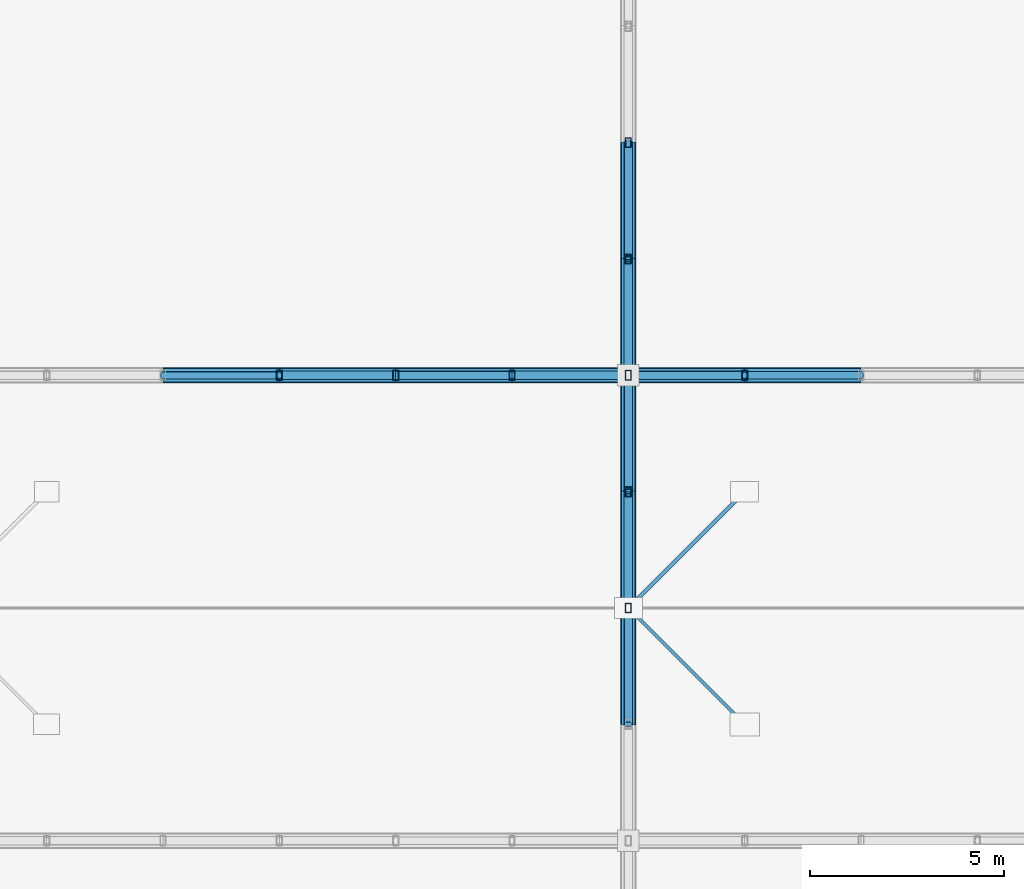
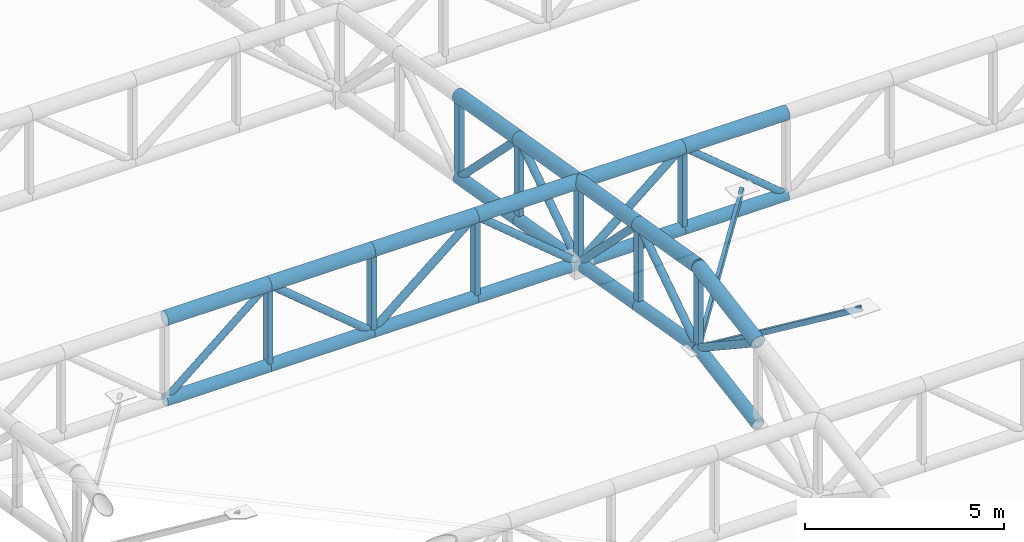
# One storey, part 115 of 239: 44 members.
"""IFC4 building model written with IfcOpenShell, lengths in metres."""

from ifc_helpers import new_model, si_unit, direction, frame, origin, origin_2d, place, context, subcontext, project, spatial, hollow_rectangle, hollow_circle, extrude, material, material_profile, profile_set, type_object, element, save


model = new_model("IFC4")

# Units and contexts
model_context = context("Model", 3, precision=1e-05, world=origin(), true_north=direction((0.0, 1.0)))
body_context = subcontext(model_context, "Body", "Model", "MODEL_VIEW")
ifc_project = project(units=[si_unit("LENGTHUNIT", "METRE"), si_unit("AREAUNIT", "SQUARE_METRE"), si_unit("VOLUMEUNIT", "CUBIC_METRE"), si_unit("PLANEANGLEUNIT", "RADIAN"), si_unit("MASSUNIT", "GRAM", prefix="KILO")], contexts=[model_context])

# Site, building, storey
site_placement = place(None, origin())
site = spatial("IfcSite", under=ifc_project, at=site_placement, CompositionType="ELEMENT")
building_placement = place(site_placement, origin())
building = spatial("IfcBuilding", under=site, at=building_placement, Name="Kaldris Quays Convention Centre", CompositionType="ELEMENT")
storey_placement = place(building_placement, frame((0.0, 0.0, 11.39990234375)))
storey = spatial("IfcBuildingStorey", under=building, at=storey_placement, Name="L02", CompositionType="ELEMENT", Elevation=11.39990234375)

# Members
ifc_material = material(Name="Steel S355J2H", Category="steel")
ifc_material_profile_1 = material_profile(ifc_material, hollow_circle(Radius=0.203125, WallThickness=0.01611328125, at=origin_2d()), Name="CHS 406.4x16")
ifc_profile_set_1 = profile_set([ifc_material_profile_1], Name="Steel S355J2H")
member_type_1 = type_object("IfcMemberType", Name="STRUCTURAL MEMBER SC01", PredefinedType="CHORD", material=ifc_profile_set_1)
for number, where, z_axis, x_axis, name in (
    (1, (98.0, 104.0, 15.84326171875), (1.0, 0.0, 0.0), (0.0, 1.0, 0.0), "SF-V1 Top Chord X 195"),
    (2, (101.0, 104.0, 15.84326171875), (1.0, 0.0, 0.0), (0.0, 1.0, 0.0), "SF-V1 Top Chord X 196"),
    (3, (104.0, 104.0, 15.84326171875), (1.0, 0.0, 0.0), (0.0, 1.0, 0.0), "SF-V1 Top Chord X 197"),
    (4, (107.0, 104.0, 15.84326171875), (1.0, 0.0, 0.0), (0.0, 1.0, 0.0), "SF-V1 Top Chord X 198"),
    (5, (110.0, 104.0, 15.84326171875), (1.0, 0.0, 0.0), (0.0, 1.0, 0.0), "SF-V1 Top Chord X 199"),
    (6, (113.0, 104.0, 15.84326171875), (1.0, 0.0, 0.0), (0.0, 1.0, 0.0), "SF-V1 Top Chord X 200"),
):
    element("IfcMember", number, at=place(storey_placement, frame(where, z_axis=z_axis, x_axis=x_axis)), inside=storey, type_object=member_type_1, Name=name, PredefinedType="CHORD", context=body_context, shape_type="SweptSolid", body=[
        extrude(hollow_circle(Radius=0.203125, WallThickness=0.01611328125, at=origin_2d()), origin(), (0.0, 0.0, 1.0), 3.0),
    ])
for number, where, z_axis, x_axis, name in (
    (7, (110.0, 95.0, 16.357666015625), (0.0, 0.98562912375, 0.168923741424), (-1.0, 0.0, 0.0), "SF-V1 Top Chord Y 490"),
    (8, (110.0, 98.0, 16.871826171875), (0.0, 0.98562912375, -0.168923741424), (-1.0, 0.0, 0.0), "SF-V1 Top Chord Y 491"),
    (9, (110.0, 101.0, 16.357666015625), (0.0, 0.985615766076, -0.169001661712), (-1.0, 0.0, 0.0), "SF-V1 Top Chord Y 492"),
    (10, (110.0, 104.0, 15.84326171875), (0.0, 0.98562912375, -0.168923741424), (-1.0, 0.0, 0.0), "SF-V1 Top Chord Y 493"),
    (11, (110.0, 107.0, 15.3291015625), (0.0, 0.985615766076, -0.169001661712), (-1.0, 0.0, 0.0), "SF-V1 Top Chord Y 494"),
):
    element("IfcMember", number, at=place(storey_placement, frame(where, z_axis=z_axis, x_axis=x_axis)), inside=storey, type_object=member_type_1, Name=name, PredefinedType="CHORD", context=body_context, shape_type="SweptSolid", body=[
        extrude(hollow_circle(Radius=0.203125, WallThickness=0.01611328125, at=origin_2d()), origin(), (0.0, 0.0, 1.0), 3.043701171875),
    ])
ifc_material_profile_2 = material_profile(ifc_material, hollow_circle(Radius=0.177734375, WallThickness=0.01611328125, at=origin_2d()), Name="CHS 355.6x16")
ifc_profile_set_2 = profile_set([ifc_material_profile_2], Name="Steel S355J2H")
member_type_2 = type_object("IfcMemberType", Name="STRUCTURAL MEMBER SC02", PredefinedType="CHORD", material=ifc_profile_set_2)
for number, where, z_axis, x_axis, name in (
    (12, (98.0, 104.0, 13.34326171875), (1.0, 0.0, 0.0), (0.0, 1.0, 0.0), "SF-V1 Bottom Chord X 195"),
    (13, (101.0, 104.0, 13.34326171875), (1.0, 0.0, 0.0), (0.0, 1.0, 0.0), "SF-V1 Bottom Chord X 196"),
    (14, (104.0, 104.0, 13.34326171875), (1.0, 0.0, 0.0), (0.0, 1.0, 0.0), "SF-V1 Bottom Chord X 197"),
    (15, (107.0, 104.0, 13.34326171875), (1.0, 0.0, 0.0), (0.0, 1.0, 0.0), "SF-V1 Bottom Chord X 198"),
    (16, (110.0, 104.0, 13.34326171875), (1.0, 0.0, 0.0), (0.0, 1.0, 0.0), "SF-V1 Bottom Chord X 199"),
    (17, (113.0, 104.0, 13.34326171875), (1.0, 0.0, 0.0), (0.0, 1.0, 0.0), "SF-V1 Bottom Chord X 200"),
):
    element("IfcMember", number, at=place(storey_placement, frame(where, z_axis=z_axis, x_axis=x_axis)), inside=storey, type_object=member_type_2, Name=name, PredefinedType="CHORD", context=body_context, shape_type="SweptSolid", body=[
        extrude(hollow_circle(Radius=0.177734375, WallThickness=0.01611328125, at=origin_2d()), origin(), (0.0, 0.0, 1.0), 3.0),
    ])
for number, where, z_axis, x_axis, name in (
    (18, (110.0, 95.0, 13.857666015625), (0.0, 0.98562912375, 0.168923741424), (-1.0, 0.0, 0.0), "SF-V1 Bottom Chord Y 490"),
    (19, (110.0, 98.0, 14.371826171875), (0.0, 0.98562912375, -0.168923741424), (-1.0, 0.0, 0.0), "SF-V1 Bottom Chord Y 491"),
    (20, (110.0, 101.0, 13.857666015625), (0.0, 0.985615766076, -0.169001661712), (-1.0, 0.0, 0.0), "SF-V1 Bottom Chord Y 492"),
    (21, (110.0, 104.0, 13.34326171875), (0.0, 0.98562912375, -0.168923741424), (-1.0, 0.0, 0.0), "SF-V1 Bottom Chord Y 493"),
    (22, (110.0, 107.0, 12.8291015625), (0.0, 0.985615766076, -0.169001661712), (-1.0, 0.0, 0.0), "SF-V1 Bottom Chord Y 494"),
):
    element("IfcMember", number, at=place(storey_placement, frame(where, z_axis=z_axis, x_axis=x_axis)), inside=storey, type_object=member_type_2, Name=name, PredefinedType="CHORD", context=body_context, shape_type="SweptSolid", body=[
        extrude(hollow_circle(Radius=0.177734375, WallThickness=0.01611328125, at=origin_2d()), origin(), (0.0, 0.0, 1.0), 3.043701171875),
    ])
ifc_material_profile_3 = material_profile(ifc_material, hollow_circle(Radius=0.109619140625, WallThickness=0.010009765625, at=origin_2d()), Name="CHS 219.1x10")
ifc_profile_set_3 = profile_set([ifc_material_profile_3], Name="Steel S355J2H")
member_type_3 = type_object("IfcMemberType", Name="STRUCTURAL MEMBER SWB1", PredefinedType="BRACE", material=ifc_profile_set_3)
for number, where, z_axis, x_axis, name in (
    (23, (104.0, 104.0, 13.34326171875), (-0.768221279597, 0.0, 0.640184399664), (0.0, -1.0, 0.0), "SF-V1 Web Diagonal X 196"),
    (24, (104.0, 104.0, 13.34326171875), (0.768221279597, 0.0, 0.640184399664), (0.0, 1.0, 0.0), "SF-V1 Web Diagonal X 197"),
    (25, (110.0, 104.0, 13.34326171875), (-0.768221279597, 0.0, 0.640184399664), (0.0, -1.0, 0.0), "SF-V1 Web Diagonal X 198"),
    (26, (110.0, 104.0, 13.34326171875), (0.768221279597, 0.0, 0.640184399664), (0.0, 1.0, 0.0), "SF-V1 Web Diagonal X 199"),
):
    element("IfcMember", number, at=place(storey_placement, frame(where, z_axis=z_axis, x_axis=x_axis)), inside=storey, type_object=member_type_3, Name=name, PredefinedType="BRACE", context=body_context, shape_type="SweptSolid", body=[
        extrude(hollow_circle(Radius=0.109619140625, WallThickness=0.010009765625, at=origin_2d()), origin(), (0.0, 0.0, 1.0), 3.905029296875),
    ])
for number, where, z_axis, x_axis, name in (
    (27, (110.0, 98.0, 14.371826171875), (0.0, -0.833862389808, 0.551972385962), (1.0, 0.0, 0.0), "SF-V1 Web Diagonal Y 490"),
    (28, (110.0, 98.0, 14.371826171875), (0.0, 0.833862389808, 0.551972385962), (-1.0, 0.0, 0.0), "SF-V1 Web Diagonal Y 491"),
):
    element("IfcMember", number, at=place(storey_placement, frame(where, z_axis=z_axis, x_axis=x_axis)), inside=storey, type_object=member_type_3, Name=name, PredefinedType="BRACE", context=body_context, shape_type="SweptSolid", body=[
        extrude(hollow_circle(Radius=0.109619140625, WallThickness=0.010009765625, at=origin_2d()), origin(), (0.0, 0.0, 1.0), 3.59765625),
    ])
member_1_placement = place(storey_placement, frame((110.0, 104.0, 13.34326171875), z_axis=(0.0, -0.705411261057, 0.708798245465), x_axis=(1.0, 0.0, 0.0)))
element("IfcMember", 29, at=member_1_placement, inside=storey, type_object=member_type_3, Name="SF-V1 Web Diagonal Y 492", PredefinedType="BRACE", context=body_context, shape_type="SweptSolid", body=[
    extrude(hollow_circle(Radius=0.109619140625, WallThickness=0.010009765625, at=origin_2d()), origin(), (0.0, 0.0, 1.0), 4.2529296875),
])
member_2_placement = place(storey_placement, frame((110.0, 104.0, 13.34326171875), z_axis=(0.0, 0.833862389808, 0.551972385962), x_axis=(-1.0, 0.0, 0.0)))
element("IfcMember", 30, at=member_2_placement, inside=storey, type_object=member_type_3, Name="SF-V1 Web Diagonal Y 493", PredefinedType="BRACE", context=body_context, shape_type="SweptSolid", body=[
    extrude(hollow_circle(Radius=0.109619140625, WallThickness=0.010009765625, at=origin_2d()), origin(), (0.0, 0.0, 1.0), 3.59765625),
])
member_3_placement = place(storey_placement, frame((110.0, 110.0, 12.314697265625), z_axis=(0.0, -0.705411261057, 0.708798245465), x_axis=(1.0, 0.0, 0.0)))
element("IfcMember", 31, at=member_3_placement, inside=storey, type_object=member_type_3, Name="SF-V1 Web Diagonal Y 494", PredefinedType="BRACE", context=body_context, shape_type="SweptSolid", body=[
    extrude(hollow_circle(Radius=0.109619140625, WallThickness=0.010009765625, at=origin_2d()), origin(), (0.0, 0.0, 1.0), 4.2529296875),
])
ifc_material_profile_4 = material_profile(ifc_material, hollow_circle(Radius=0.096923828125, WallThickness=0.008056640625, at=origin_2d()), Name="CHS 193.7x8")
ifc_profile_set_4 = profile_set([ifc_material_profile_4], Name="Steel S355J2H")
member_type_4 = type_object("IfcMemberType", Name="STRUCTURAL MEMBER SWB3", PredefinedType="BRACE", material=ifc_profile_set_4)
for number, where, z_axis, x_axis, name in (
    (32, (98.0, 104.0, 13.34326171875), (0.768221279597, 0.0, 0.640184399664), (0.0, 1.0, 0.0), "SF-V1 Web Diagonal X 195"),
    (33, (116.0, 104.0, 13.34326171875), (-0.768221279597, 0.0, 0.640184399664), (0.0, -1.0, 0.0), "SF-V1 Web Diagonal X 200"),
):
    element("IfcMember", number, at=place(storey_placement, frame(where, z_axis=z_axis, x_axis=x_axis)), inside=storey, type_object=member_type_4, Name=name, PredefinedType="BRACE", context=body_context, shape_type="SweptSolid", body=[
        extrude(hollow_circle(Radius=0.096923828125, WallThickness=0.008056640625, at=origin_2d()), origin(), (0.0, 0.0, 1.0), 3.905029296875),
    ])
ifc_material_profile_5 = material_profile(ifc_material, hollow_rectangle(XDim=0.14990234375, YDim=0.25, WallThickness=0.010009765625, at=origin_2d()), Name="RHS 250x150x10")
ifc_profile_set_5 = profile_set([ifc_material_profile_5], Name="Steel S355J2H")
member_type_5 = type_object("IfcMemberType", Name="STRUCTURAL MEMBER TTV1", PredefinedType="POST", material=ifc_profile_set_5)
for number, where, z_axis, x_axis, name in (
    (34, (101.0, 104.0, 13.34326171875), (0.0, 0.0, 1.0), (1.0, 0.0, 0.0), "SF-V1 Space-Frame Post 326"),
    (35, (104.0, 104.0, 13.34326171875), (0.0, 0.0, 1.0), (1.0, 0.0, 0.0), "SF-V1 Space-Frame Post 334"),
    (36, (107.0, 104.0, 13.34326171875), (0.0, 0.0, 1.0), (1.0, 0.0, 0.0), "SF-V1 Space-Frame Post 342"),
    (37, (110.0, 98.0, 14.371826171875), (0.0, 0.0, 1.0), (1.0, 0.0, 0.0), "SF-V1 Space-Frame Post 360"),
    (38, (110.0, 101.0, 13.857666015625), (0.0, 0.0, 1.0), (1.0, 0.0, 0.0), "SF-V1 Space-Frame Post 361"),
    (39, (110.0, 104.0, 13.34326171875), (0.0, 0.0, 1.0), (1.0, 0.0, 0.0), "SF-V1 Space-Frame Post 362"),
    (40, (110.0, 107.0, 12.8291015625), (0.0, 0.0, 1.0), (1.0, 0.0, 0.0), "SF-V1 Space-Frame Post 363"),
    (41, (110.0, 110.0, 12.314697265625), (0.0, 0.0, 1.0), (1.0, 0.0, 0.0), "SF-V1 Space-Frame Post 364"),
    (42, (113.0, 104.0, 13.34326171875), (0.0, 0.0, 1.0), (1.0, 0.0, 0.0), "SF-V1 Space-Frame Post 379"),
):
    element("IfcMember", number, at=place(storey_placement, frame(where, z_axis=z_axis, x_axis=x_axis)), inside=storey, type_object=member_type_5, Name=name, PredefinedType="POST", context=body_context, shape_type="SweptSolid", body=[
        extrude(hollow_rectangle(XDim=0.14990234375, YDim=0.25, WallThickness=0.010009765625, at=origin_2d()), origin(), (0.0, 0.0, 1.0), 2.5),
    ])
ifc_material_profile_6 = material_profile(ifc_material, hollow_rectangle(XDim=0.10009765625, YDim=0.199951171875, WallThickness=0.008056640625, at=origin_2d()), Name="RHS 200x100x8")
ifc_profile_set_6 = profile_set([ifc_material_profile_6], Name="Steel S355J2H")
member_type_6 = type_object("IfcMemberType", Name="STRUCTURAL MEMBER WS01", PredefinedType="STRUT", material=ifc_profile_set_6)
member_4_placement = place(storey_placement, frame((110.0, 98.0, 14.371826171875), z_axis=(0.640424167839, 0.640424167839, 0.423926609798), x_axis=(-0.707106781187, 0.707106781187, 0.0)))
element("IfcMember", 43, at=member_4_placement, inside=storey, type_object=member_type_6, Name="SF-V1 Interior Space-Frame Plan Diagonal Strut 9", PredefinedType="STRUT", context=body_context, shape_type="SweptSolid", body=[
    extrude(hollow_rectangle(XDim=0.10009765625, YDim=0.199951171875, WallThickness=0.008056640625, at=origin_2d()), origin(), (0.0, 0.0, 1.0), 4.684326171875),
])
ifc_material_profile_7 = material_profile(ifc_material, hollow_rectangle(XDim=0.080078125, YDim=0.159912109375, WallThickness=0.00634765625, at=origin_2d()), Name="RHS 160x80x6.3")
ifc_profile_set_7 = profile_set([ifc_material_profile_7], Name="Steel S355J2H")
member_type_7 = type_object("IfcMemberType", Name="STRUCTURAL MEMBER WS02", PredefinedType="STRUT", material=ifc_profile_set_7)
member_5_placement = place(storey_placement, frame((110.0, 98.0, 14.371826171875), z_axis=(0.640424167839, -0.640424167839, 0.423926609798), x_axis=(0.707106781187, 0.707106781187, 0.0)))
element("IfcMember", 44, at=member_5_placement, inside=storey, type_object=member_type_7, Name="SF-V1 Interior Space-Frame Plan Diagonal Strut 10", PredefinedType="STRUT", context=body_context, shape_type="SweptSolid", body=[
    extrude(hollow_rectangle(XDim=0.080078125, YDim=0.159912109375, WallThickness=0.00634765625, at=origin_2d()), origin(), (0.0, 0.0, 1.0), 4.684326171875),
])

save(model, "model.ifc")
